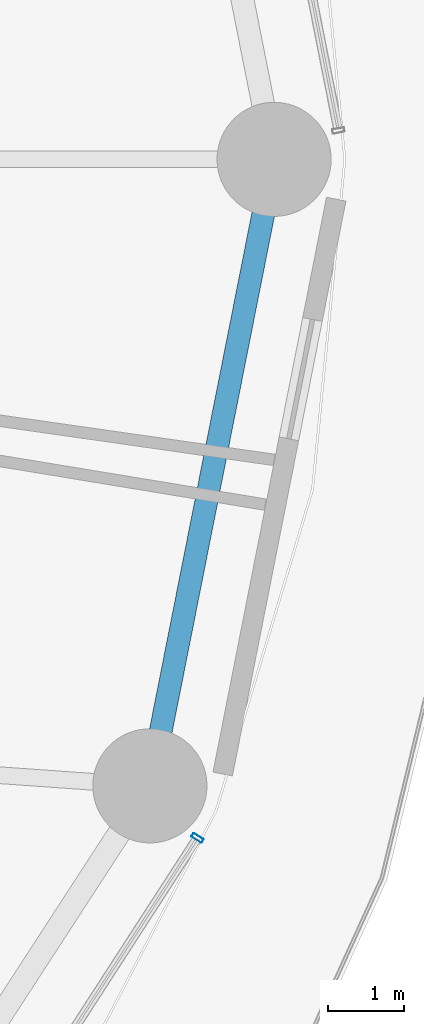
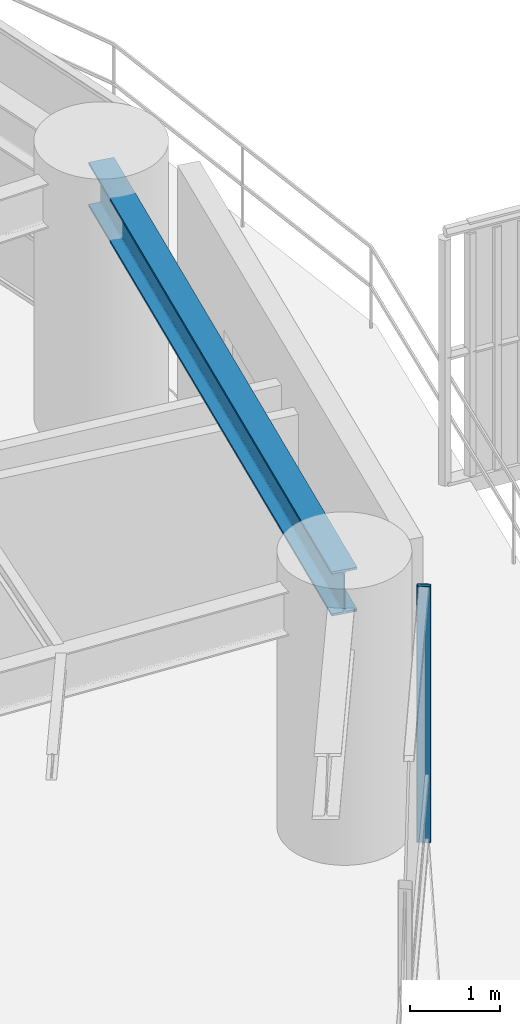
# One storey, part 12 of 33: 1 beam, 1 member, 1 element without a shape of its own.
"""IFC4 building model written with IfcOpenShell, lengths in metres."""

import ifcopenshell
import ifcopenshell.guid

model = None  # the IFC model being written
_history = None  # IfcOwnerHistory: only IFC2X3 demands one
_inside = {}  # id of a spatial element -> (the spatial element, [elements in it])
_under = {}  # id of a project, library or spatial element -> (it, [spatial elements below it])
_declared = {}  # id of a project -> (the project, [libraries it declares])
_typed = {}  # id of a type object -> (the type object, [elements of that type])
_made_of = {}  # id of a material, layer set ... -> (it, [elements and type objects made of it])


def new_model(schema):
    """Start an empty IFC model of exactly this schema.

    Asked for "IFC4X3", IfcOpenShell would pick the latest addendum, in which some entities
    have other attributes; the version numbers below select the first issue.
    IFC2X3 requires an IfcOwnerHistory on every rooted entity: one is made here for all.
    """
    global model, _history
    if schema == "IFC4X3":
        model = ifcopenshell.file(schema_version=(4, 3, 0, 0))
    else:
        model = ifcopenshell.file(schema=schema)
    _inside.clear()
    _under.clear()
    _declared.clear()
    _typed.clear()
    _made_of.clear()
    _history = None
    if model.schema == "IFC2X3":
        org = make("IfcOrganization", Name="unknown")
        user = make(
            "IfcPersonAndOrganization",
            ThePerson=make("IfcPerson", FamilyName="unknown"),
            TheOrganization=org,
        )
        app = make(
            "IfcApplication",
            ApplicationDeveloper=org,
            Version="unknown",
            ApplicationFullName="unknown",
            ApplicationIdentifier="unknown",
        )
        _history = make(
            "IfcOwnerHistory",
            OwningUser=user,
            OwningApplication=app,
            ChangeAction="ADDED",
            CreationDate=0,
        )
    return model


def make(cls, **values):
    """One entity of the class cls with the attributes given. An attribute that is None is left unset."""
    return model.create_entity(
        cls, **{name: value for name, value in values.items() if value is not None}
    )


def rooted(cls, **values):
    """An entity with a GlobalId (a new one), such as an element, a storey or a relation."""
    return make(cls, GlobalId=ifcopenshell.guid.new(), OwnerHistory=_history, **values)


def si_unit(unit_type, name, prefix=None):
    """IfcSIUnit, for example si_unit("LENGTHUNIT", "METRE", prefix="MILLI")."""
    return make("IfcSIUnit", UnitType=unit_type, Prefix=prefix, Name=name)


def assignment(units):
    """IfcUnitAssignment: the units of a project."""
    return None if units is None else make("IfcUnitAssignment", Units=units)


def point(xyz):
    """IfcCartesianPoint."""
    return None if xyz is None else make("IfcCartesianPoint", Coordinates=xyz)


def direction(xyz):
    """IfcDirection."""
    return None if xyz is None else make("IfcDirection", DirectionRatios=xyz)


def frame(location, z_axis=None, x_axis=None):
    """IfcAxis2Placement3D, a coordinate frame: its origin and axes. An axis left out is left unset."""
    return make(
        "IfcAxis2Placement3D",
        Location=point(location),
        Axis=direction(z_axis),
        RefDirection=direction(x_axis),
    )


def frame_2d(location, x_axis=None):
    """IfcAxis2Placement2D, a coordinate frame in the plane: its origin and x axis."""
    return make(
        "IfcAxis2Placement2D", Location=point(location), RefDirection=direction(x_axis)
    )


def origin():
    """The frame at (0, 0, 0) with its axes left unset."""
    return frame((0.0, 0.0, 0.0))


def origin_2d():
    """The frame at (0, 0) in the plane with its x axis left unset."""
    return frame_2d((0.0, 0.0))


def place(relative_to, where):
    """IfcLocalPlacement: puts the frame where relative to a parent placement (None: the world)."""
    return make(
        "IfcLocalPlacement", PlacementRelTo=relative_to, RelativePlacement=where
    )


def context(
    kind, dimensions, precision=None, world=None, true_north=None, identifier=None
):
    """IfcGeometricRepresentationContext, for example the 3D "Model" context."""
    return make(
        "IfcGeometricRepresentationContext",
        ContextIdentifier=identifier,
        ContextType=kind,
        CoordinateSpaceDimension=dimensions,
        Precision=precision,
        WorldCoordinateSystem=world,
        TrueNorth=true_north,
    )


def subcontext(parent, identifier, kind, view, scale=None):
    """IfcGeometricRepresentationSubContext, for example "Body" below "Model"."""
    return make(
        "IfcGeometricRepresentationSubContext",
        ContextIdentifier=identifier,
        ContextType=kind,
        ParentContext=parent,
        TargetScale=scale,
        TargetView=view,
    )


def project(units=None, contexts=None):
    """IfcProject with its units and contexts."""
    return rooted(
        "IfcProject",
        Name="project",
        RepresentationContexts=contexts,
        UnitsInContext=assignment(units),
    )


def spatial(cls, under=None, at=None, **own):
    """A site, building, storey or space (cls), placed at a placement, below another one or the project."""
    s = rooted(cls, ObjectPlacement=at, **own)
    if under is not None:
        _under.setdefault(under.id(), (under, []))[1].append(s)
    return s


def profile(cls, at=None, kind="AREA", **sizes):
    """A parametric profile (cls). Its sizes go by their IFC names, for example OverallWidth=200.0."""
    return make(cls, ProfileType=kind, Position=at, **sizes)


def hollow_rectangle(**sizes):
    """IfcRectangleHollowProfileDef."""
    return profile("IfcRectangleHollowProfileDef", **sizes)


def i_section(**sizes):
    """IfcIShapeProfileDef."""
    return profile("IfcIShapeProfileDef", **sizes)


def extrude(swept, where, along, depth):
    """IfcExtrudedAreaSolid: the profile swept, set in the frame where, extruded along a direction by depth."""
    return make(
        "IfcExtrudedAreaSolid",
        SweptArea=swept,
        Position=where,
        ExtrudedDirection=direction(along),
        Depth=depth,
    )


def shape(context_of_items, identifier, shape_type, items):
    """IfcShapeRepresentation: the items that make up one representation, for example the "Body"."""
    return make(
        "IfcShapeRepresentation",
        ContextOfItems=context_of_items,
        RepresentationIdentifier=identifier,
        RepresentationType=shape_type,
        Items=items,
    )


def material(Name=None, Category=None):
    """IfcMaterial."""
    return make("IfcMaterial", Name=Name, Category=Category)


def layer(
    of_material, thickness, ventilated=None, Name=None, Category=None, Priority=None
):
    """IfcMaterialLayer: one layer of a wall or slab, of a material (None: an air gap)."""
    return make(
        "IfcMaterialLayer",
        Material=of_material,
        LayerThickness=thickness,
        IsVentilated=ventilated,
        Name=Name,
        Category=Category,
        Priority=Priority,
    )


def layer_set(layers, Name=None):
    """IfcMaterialLayerSet."""
    return make("IfcMaterialLayerSet", MaterialLayers=layers, LayerSetName=Name)


def material_profile(
    of_material, cross_section, Name=None, Category=None, Priority=None
):
    """IfcMaterialProfile: a cross section and its material."""
    return make(
        "IfcMaterialProfile",
        Name=Name,
        Material=of_material,
        Profile=cross_section,
        Priority=Priority,
        Category=Category,
    )


def profile_set(profiles, Name=None, composite=None):
    """IfcMaterialProfileSet."""
    return make(
        "IfcMaterialProfileSet",
        Name=Name,
        MaterialProfiles=profiles,
        CompositeProfile=composite,
    )


def made_of(thing, what):
    """Note that an element or type object is made of a material, layer set ...; save() writes the relation."""
    if what is not None:
        _made_of.setdefault(what.id(), (what, []))[1].append(thing)
    return thing


def type_object(cls, material=None, **own):
    """A type object (cls), such as IfcWallType, which elements share."""
    return made_of(rooted(cls, **own), material)


def element(
    cls,
    number,
    at=None,
    inside=None,
    cuts=None,
    type_object=None,
    material=None,
    context=None,
    identifier="Body",
    shape_type=None,
    held_by="IfcProductDefinitionShape",
    body=None,
    shapes=None,
    **own,
):
    """One element of the class cls, such as IfcWall. Its Tag is "e" and its number.

    at: its placement. inside: the storey or other place that contains it. cuts: it is an
    opening in that element (IfcRelVoidsElement). A single representation is given by context,
    identifier, shape_type and body (its items); several are given by shapes. held_by: the class
    of the entity that holds the representations. save() writes the other relations.
    """
    e = rooted(cls, Tag="e%d" % number, ObjectPlacement=at, **own)
    if body is not None:
        shapes = [shape(context, identifier, shape_type, body)]
    if shapes is not None:
        e.Representation = make(held_by, Representations=shapes)
    if inside is not None:
        _inside.setdefault(inside.id(), (inside, []))[1].append(e)
    if cuts is not None:
        rooted(
            "IfcRelVoidsElement", RelatingBuildingElement=cuts, RelatedOpeningElement=e
        )
    if type_object is not None:
        _typed.setdefault(type_object.id(), (type_object, []))[1].append(e)
    return made_of(e, material)


def aggregate(whole, parts):
    """IfcRelAggregates: a whole, such as a stair, and the parts it consists of."""
    return rooted("IfcRelAggregates", RelatingObject=whole, RelatedObjects=parts)


def save(model, path):
    """Write the relations noted so far, then the file.

    IfcRelAggregates (storeys below a building ...), IfcRelContainedInSpatialStructure (elements
    in a storey), IfcRelDefinesByType, IfcRelAssociatesMaterial and IfcRelDeclares: one each for
    every whole, place, type object, material and project.
    """
    for whole, parts in _under.values():
        aggregate(whole, parts)
    for where, things in _inside.values():
        rooted(
            "IfcRelContainedInSpatialStructure",
            RelatedElements=things,
            RelatingStructure=where,
        )
    for kind, things in _typed.values():
        rooted("IfcRelDefinesByType", RelatedObjects=things, RelatingType=kind)
    for what, things in _made_of.values():
        rooted("IfcRelAssociatesMaterial", RelatedObjects=things, RelatingMaterial=what)
    for by, libraries in _declared.values():
        rooted("IfcRelDeclares", RelatingContext=by, RelatedDefinitions=libraries)
    model.write(path)


model = new_model("IFC4")

# Units and contexts
model_context = context("Model", 3, precision=1e-05, world=origin(), true_north=direction((0.0, 1.0)))
body_context = subcontext(model_context, "Body", "Model", "MODEL_VIEW")
ifc_project = project(units=[si_unit("LENGTHUNIT", "METRE"), si_unit("AREAUNIT", "SQUARE_METRE"), si_unit("VOLUMEUNIT", "CUBIC_METRE"), si_unit("PLANEANGLEUNIT", "RADIAN"), si_unit("MASSUNIT", "GRAM", prefix="KILO")], contexts=[model_context])

# Site, building, storey
site_placement = place(None, origin())
site = spatial("IfcSite", under=ifc_project, at=site_placement, CompositionType="ELEMENT")
building_placement = place(site_placement, origin())
building = spatial("IfcBuilding", under=site, at=building_placement, Name="Kelanora Arch Commons", CompositionType="ELEMENT")
storey_placement = place(building_placement, frame((0.0, 0.0, 41.25)))
storey = spatial("IfcBuildingStorey", under=building, at=storey_placement, Name="L10", CompositionType="ELEMENT", Elevation=41.25)

# Beam
ifc_material_1 = material(Name="Steel S355", Category="steel")
ifc_material_profile_1 = material_profile(ifc_material_1, i_section(OverallWidth=0.300048828125, OverallDepth=0.60009765625, WebThickness=0.015380859375, FlangeThickness=0.030029296875, FilletRadius=0.027099609375, at=origin_2d()), Name="HEB600")
ifc_profile_set_1 = profile_set([ifc_material_profile_1], Name="Steel S355")
beam_type = type_object("IfcBeamType", Name="BM-SPN-Z1", PredefinedType="SPANDREL", material=ifc_profile_set_1)
beam_placement = place(storey_placement, frame((99.447021484375, 49.76416015625, 3.18994140625), z_axis=(0.194499827256, 0.980902552345, 0.0), x_axis=(-0.980902552345, 0.194499827256, 0.0)))
element("IfcBeam", 1, at=beam_placement, inside=storey, type_object=beam_type, Name="Perimeter Spandrel Beam BS-34 L10", PredefinedType="SPANDREL", context=body_context, shape_type="SweptSolid", body=[
    extrude(i_section(OverallWidth=0.300048828125, OverallDepth=0.60009765625, WebThickness=0.015380859375, FlangeThickness=0.030029296875, FilletRadius=0.027099609375, at=origin_2d()), origin(), (0.0, 0.0, 1.0), 8.396240234375),
])

# Curtain wall, member
ifc_material_2 = material(Name="Terracotta ceramic-fritted low-E glass and aluminium", Category="masonry")
ifc_layer = layer(ifc_material_2, 0.159912109375)
ifc_layer_set = layer_set([ifc_layer], Name="Terracotta ceramic-fritted low-E glass and aluminium")
curtain_wall_type = type_object("IfcCurtainWallType", Name="CW-SYS-01", PredefinedType="NOTDEFINED", material=ifc_layer_set)
curtain_wall_placement = place(storey_placement, origin())
curtain_wall = element("IfcCurtainWall", 2, at=curtain_wall_placement, inside=storey, type_object=curtain_wall_type, Name="Unitised Curtain Wall L10-B16", PredefinedType="NOTDEFINED")
ifc_material_3 = material(Name="Powder-coated aluminium terracotta", Category="masonry")
ifc_material_profile_2 = material_profile(ifc_material_3, hollow_rectangle(XDim=0.159912109375, YDim=0.06005859375, WallThickness=0.0048828125, InnerFilletRadius=0.0048828125, OuterFilletRadius=0.010009765625, at=origin_2d()), Name="CWM160x60")
ifc_profile_set_2 = profile_set([ifc_material_profile_2], Name="Powder-coated aluminium terracotta")
member_type = type_object("IfcMemberType", Name="CWM-STD", PredefinedType="MULLION", material=ifc_profile_set_2)
member_placement = place(storey_placement, frame((100.072265625, 49.07958984375, 0.0), z_axis=(0.0, 0.0, 1.0), x_axis=(-0.83972982332, 0.543004441812, 0.0)))
member = element("IfcMember", 3, at=member_placement, type_object=member_type, Name="CW-01 mullion 3", PredefinedType="MULLION", context=body_context, shape_type="SweptSolid", body=[
    extrude(hollow_rectangle(XDim=0.159912109375, YDim=0.06005859375, WallThickness=0.0048828125, InnerFilletRadius=0.0048828125, OuterFilletRadius=0.010009765625, at=origin_2d()), origin(), (0.0, 0.0, 1.0), 3.47509765625),
])
aggregate(curtain_wall, [member])

save(model, "model.ifc")
